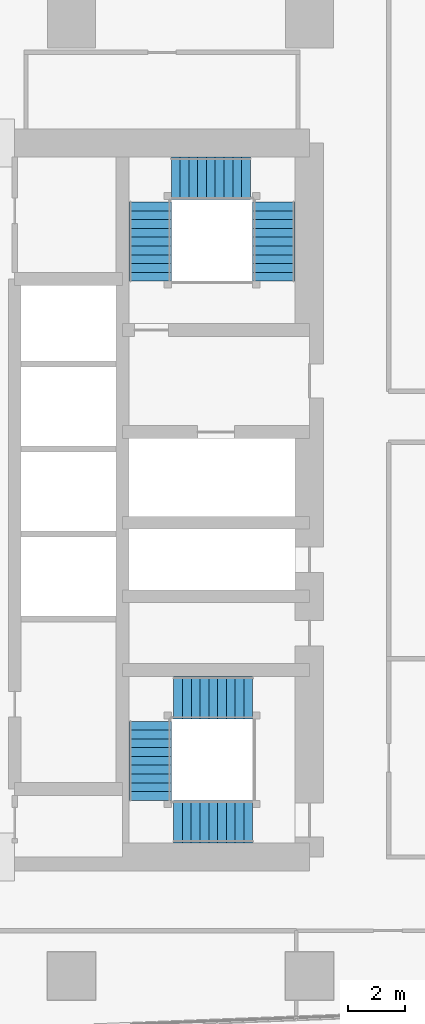
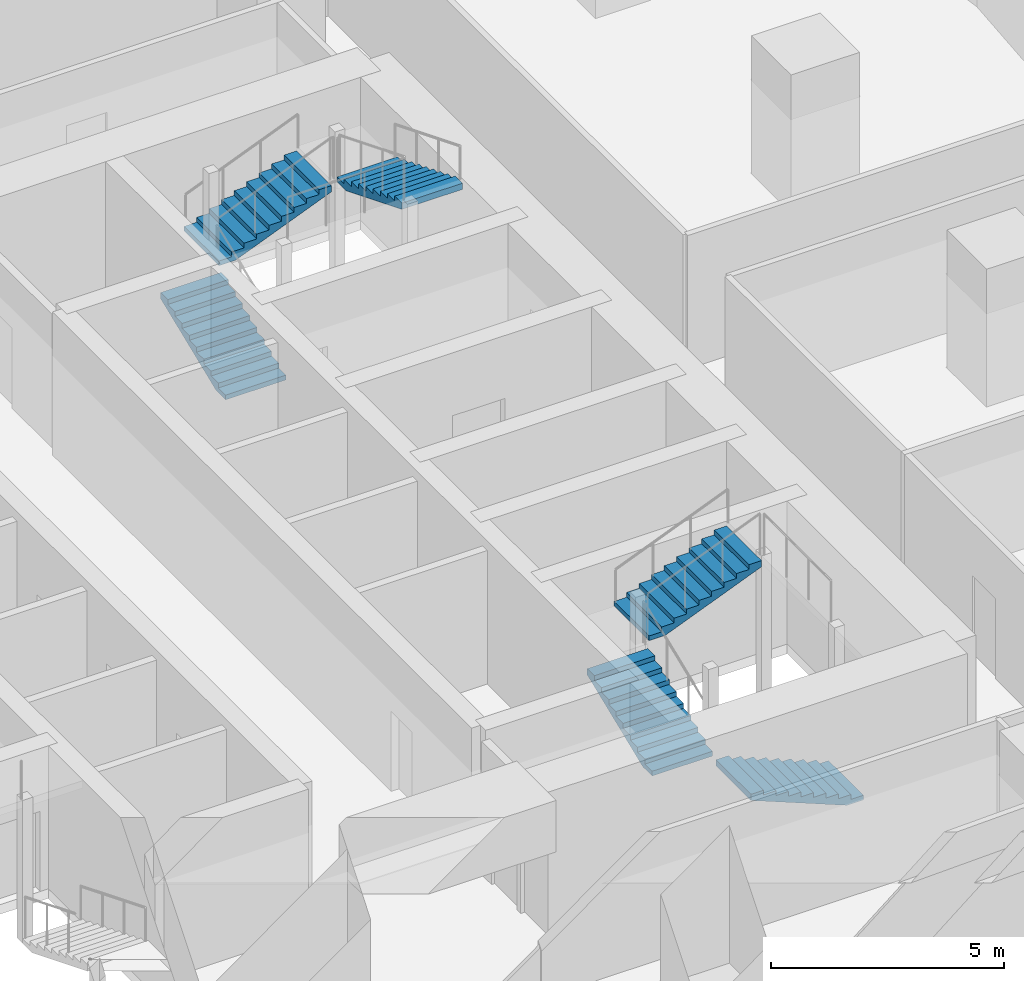
# One storey, part 32 of 40: 6 stair flights, 2 elements without a shape of their own.
"""IFC4 building model written with IfcOpenShell, lengths in metres."""

import ifcopenshell
import ifcopenshell.guid

model = None  # the IFC model being written
_history = None  # IfcOwnerHistory: only IFC2X3 demands one
_inside = {}  # id of a spatial element -> (the spatial element, [elements in it])
_under = {}  # id of a project, library or spatial element -> (it, [spatial elements below it])
_declared = {}  # id of a project -> (the project, [libraries it declares])
_typed = {}  # id of a type object -> (the type object, [elements of that type])
_made_of = {}  # id of a material, layer set ... -> (it, [elements and type objects made of it])


def new_model(schema):
    """Start an empty IFC model of exactly this schema.

    Asked for "IFC4X3", IfcOpenShell would pick the latest addendum, in which some entities
    have other attributes; the version numbers below select the first issue.
    IFC2X3 requires an IfcOwnerHistory on every rooted entity: one is made here for all.
    """
    global model, _history
    if schema == "IFC4X3":
        model = ifcopenshell.file(schema_version=(4, 3, 0, 0))
    else:
        model = ifcopenshell.file(schema=schema)
    _inside.clear()
    _under.clear()
    _declared.clear()
    _typed.clear()
    _made_of.clear()
    _history = None
    if model.schema == "IFC2X3":
        org = make("IfcOrganization", Name="unknown")
        user = make(
            "IfcPersonAndOrganization",
            ThePerson=make("IfcPerson", FamilyName="unknown"),
            TheOrganization=org,
        )
        app = make(
            "IfcApplication",
            ApplicationDeveloper=org,
            Version="unknown",
            ApplicationFullName="unknown",
            ApplicationIdentifier="unknown",
        )
        _history = make(
            "IfcOwnerHistory",
            OwningUser=user,
            OwningApplication=app,
            ChangeAction="ADDED",
            CreationDate=0,
        )
    return model


def make(cls, **values):
    """One entity of the class cls with the attributes given. An attribute that is None is left unset."""
    return model.create_entity(
        cls, **{name: value for name, value in values.items() if value is not None}
    )


def rooted(cls, **values):
    """An entity with a GlobalId (a new one), such as an element, a storey or a relation."""
    return make(cls, GlobalId=ifcopenshell.guid.new(), OwnerHistory=_history, **values)


def si_unit(unit_type, name, prefix=None):
    """IfcSIUnit, for example si_unit("LENGTHUNIT", "METRE", prefix="MILLI")."""
    return make("IfcSIUnit", UnitType=unit_type, Prefix=prefix, Name=name)


def assignment(units):
    """IfcUnitAssignment: the units of a project."""
    return None if units is None else make("IfcUnitAssignment", Units=units)


def point(xyz):
    """IfcCartesianPoint."""
    return None if xyz is None else make("IfcCartesianPoint", Coordinates=xyz)


def direction(xyz):
    """IfcDirection."""
    return None if xyz is None else make("IfcDirection", DirectionRatios=xyz)


def frame(location, z_axis=None, x_axis=None):
    """IfcAxis2Placement3D, a coordinate frame: its origin and axes. An axis left out is left unset."""
    return make(
        "IfcAxis2Placement3D",
        Location=point(location),
        Axis=direction(z_axis),
        RefDirection=direction(x_axis),
    )


def origin():
    """The frame at (0, 0, 0) with its axes left unset."""
    return frame((0.0, 0.0, 0.0))


def place(relative_to, where):
    """IfcLocalPlacement: puts the frame where relative to a parent placement (None: the world)."""
    return make(
        "IfcLocalPlacement", PlacementRelTo=relative_to, RelativePlacement=where
    )


def context(
    kind, dimensions, precision=None, world=None, true_north=None, identifier=None
):
    """IfcGeometricRepresentationContext, for example the 3D "Model" context."""
    return make(
        "IfcGeometricRepresentationContext",
        ContextIdentifier=identifier,
        ContextType=kind,
        CoordinateSpaceDimension=dimensions,
        Precision=precision,
        WorldCoordinateSystem=world,
        TrueNorth=true_north,
    )


def subcontext(parent, identifier, kind, view, scale=None):
    """IfcGeometricRepresentationSubContext, for example "Body" below "Model"."""
    return make(
        "IfcGeometricRepresentationSubContext",
        ContextIdentifier=identifier,
        ContextType=kind,
        ParentContext=parent,
        TargetScale=scale,
        TargetView=view,
    )


def project(units=None, contexts=None):
    """IfcProject with its units and contexts."""
    return rooted(
        "IfcProject",
        Name="project",
        RepresentationContexts=contexts,
        UnitsInContext=assignment(units),
    )


def spatial(cls, under=None, at=None, **own):
    """A site, building, storey or space (cls), placed at a placement, below another one or the project."""
    s = rooted(cls, ObjectPlacement=at, **own)
    if under is not None:
        _under.setdefault(under.id(), (under, []))[1].append(s)
    return s


def polyline(points):
    """IfcPolyline through the points."""
    return make("IfcPolyline", Points=[point(p) for p in points])


def outline(outer, holes=None, kind="AREA"):
    """IfcArbitraryClosedProfileDef: a profile drawn as a closed curve; with holes, ...WithVoids."""
    if holes is None:
        return make("IfcArbitraryClosedProfileDef", ProfileType=kind, OuterCurve=outer)
    return make(
        "IfcArbitraryProfileDefWithVoids",
        ProfileType=kind,
        OuterCurve=outer,
        InnerCurves=holes,
    )


def extrude(swept, where, along, depth):
    """IfcExtrudedAreaSolid: the profile swept, set in the frame where, extruded along a direction by depth."""
    return make(
        "IfcExtrudedAreaSolid",
        SweptArea=swept,
        Position=where,
        ExtrudedDirection=direction(along),
        Depth=depth,
    )


def shape(context_of_items, identifier, shape_type, items):
    """IfcShapeRepresentation: the items that make up one representation, for example the "Body"."""
    return make(
        "IfcShapeRepresentation",
        ContextOfItems=context_of_items,
        RepresentationIdentifier=identifier,
        RepresentationType=shape_type,
        Items=items,
    )


def material(Name=None, Category=None):
    """IfcMaterial."""
    return make("IfcMaterial", Name=Name, Category=Category)


def made_of(thing, what):
    """Note that an element or type object is made of a material, layer set ...; save() writes the relation."""
    if what is not None:
        _made_of.setdefault(what.id(), (what, []))[1].append(thing)
    return thing


def type_object(cls, material=None, **own):
    """A type object (cls), such as IfcWallType, which elements share."""
    return made_of(rooted(cls, **own), material)


def element(
    cls,
    number,
    at=None,
    inside=None,
    cuts=None,
    type_object=None,
    material=None,
    context=None,
    identifier="Body",
    shape_type=None,
    held_by="IfcProductDefinitionShape",
    body=None,
    shapes=None,
    **own,
):
    """One element of the class cls, such as IfcWall. Its Tag is "e" and its number.

    at: its placement. inside: the storey or other place that contains it. cuts: it is an
    opening in that element (IfcRelVoidsElement). A single representation is given by context,
    identifier, shape_type and body (its items); several are given by shapes. held_by: the class
    of the entity that holds the representations. save() writes the other relations.
    """
    e = rooted(cls, Tag="e%d" % number, ObjectPlacement=at, **own)
    if body is not None:
        shapes = [shape(context, identifier, shape_type, body)]
    if shapes is not None:
        e.Representation = make(held_by, Representations=shapes)
    if inside is not None:
        _inside.setdefault(inside.id(), (inside, []))[1].append(e)
    if cuts is not None:
        rooted(
            "IfcRelVoidsElement", RelatingBuildingElement=cuts, RelatedOpeningElement=e
        )
    if type_object is not None:
        _typed.setdefault(type_object.id(), (type_object, []))[1].append(e)
    return made_of(e, material)


def aggregate(whole, parts):
    """IfcRelAggregates: a whole, such as a stair, and the parts it consists of."""
    return rooted("IfcRelAggregates", RelatingObject=whole, RelatedObjects=parts)


def save(model, path):
    """Write the relations noted so far, then the file.

    IfcRelAggregates (storeys below a building ...), IfcRelContainedInSpatialStructure (elements
    in a storey), IfcRelDefinesByType, IfcRelAssociatesMaterial and IfcRelDeclares: one each for
    every whole, place, type object, material and project.
    """
    for whole, parts in _under.values():
        aggregate(whole, parts)
    for where, things in _inside.values():
        rooted(
            "IfcRelContainedInSpatialStructure",
            RelatedElements=things,
            RelatingStructure=where,
        )
    for kind, things in _typed.values():
        rooted("IfcRelDefinesByType", RelatedObjects=things, RelatingType=kind)
    for what, things in _made_of.values():
        rooted("IfcRelAssociatesMaterial", RelatedObjects=things, RelatingMaterial=what)
    for by, libraries in _declared.values():
        rooted("IfcRelDeclares", RelatingContext=by, RelatedDefinitions=libraries)
    model.write(path)


model = new_model("IFC4")

# Units and contexts
model_context = context("Model", 3, precision=1e-05, world=origin(), true_north=direction((0.0, 1.0)))
body_context = subcontext(model_context, "Body", "Model", "MODEL_VIEW")
ifc_project = project(units=[si_unit("LENGTHUNIT", "METRE"), si_unit("AREAUNIT", "SQUARE_METRE"), si_unit("VOLUMEUNIT", "CUBIC_METRE"), si_unit("PLANEANGLEUNIT", "RADIAN"), si_unit("MASSUNIT", "GRAM", prefix="KILO")], contexts=[model_context])

# Site, building, storey
site_placement = place(None, origin())
site = spatial("IfcSite", under=ifc_project, at=site_placement, CompositionType="ELEMENT")
building_placement = place(site_placement, origin())
building = spatial("IfcBuilding", under=site, at=building_placement, Name="Rekha Terrace Tower", CompositionType="ELEMENT")
storey_placement = place(building_placement, frame((0.0, 0.0, 102.800048828125)))
storey = spatial("IfcBuildingStorey", under=building, at=storey_placement, Name="L25", CompositionType="ELEMENT", Elevation=102.800048828125)

# Stair, stair flights
ifc_material = material(Name="Concrete M40", Category="concrete")
stair_type = type_object("IfcStairType", Name="ST30 stair, 30 risers of 125, going 310, 1500 wide flights, 3 flights", PredefinedType="HALF_TURN_STAIR", material=ifc_material)
stair_1_placement = place(storey_placement, origin())
stair_1 = element("IfcStair", 1, at=stair_1_placement, inside=storey, type_object=stair_type, Name="Stair ST2 L25 to L26", PredefinedType="HALF_TURN_STAIR")
stair_flight_type = type_object("IfcStairFlightType", Name="SF10 stair flight, 10 risers of 125, going 310, 1500 wide", PredefinedType="STRAIGHT", material=ifc_material)
stair_flight_1_placement = place(storey_placement, frame((44.77490234375, 41.324951171875, 0.0), z_axis=(0.0, 0.0, 1.0), x_axis=(0.0, 1.0, 0.0)))
stair_flight_1 = element("IfcStairFlight", 2, at=stair_flight_1_placement, type_object=stair_flight_type, Name="ST2 flight 1", NumberOfRisers=10, NumberOfTreads=9, PredefinedType="STRAIGHT", RiserHeight=0.125, TreadLength=0.31, context=body_context, shape_type="SweptSolid", body=[
    extrude(outline(polyline([(0.0, 0.0), (0.0, 0.125), (0.31005859375, 0.125), (0.31005859375, 0.25), (0.6201171875, 0.25), (0.6201171875, 0.375), (0.929931640625, 0.375), (0.929931640625, 0.5), (1.239990234375, 0.5), (1.239990234375, 0.625), (1.550048828125, 0.625), (1.550048828125, 0.75), (1.860107421875, 0.75), (1.860107421875, 0.875), (2.169921875, 0.875), (2.169921875, 1.0), (2.47998046875, 1.0), (2.47998046875, 1.125), (2.7900390625, 1.125), (2.7900390625, 1.25), (2.7900390625, 0.96337890625), (0.40087890625, 0.0), (0.0, 0.0)])), frame((0.0, 0.75, 0.0), z_axis=(0.0, -1.0, 0.0), x_axis=(1.0, 0.0, 0.0)), (0.0, 0.0, 1.0), 1.5),
])
stair_flight_2_placement = place(storey_placement, frame((45.52490234375, 44.949951171875, 1.25), z_axis=(0.0, 0.0, 1.0), x_axis=(1.0, 0.0, 0.0)))
stair_flight_2 = element("IfcStairFlight", 3, at=stair_flight_2_placement, type_object=stair_flight_type, Name="ST2 flight 2", NumberOfRisers=10, NumberOfTreads=9, PredefinedType="STRAIGHT", RiserHeight=0.125, TreadLength=0.31, context=body_context, shape_type="SweptSolid", body=[
    extrude(outline(polyline([(0.0, 0.0), (0.0, 0.125), (0.31005859375, 0.125), (0.31005859375, 0.25), (0.6201171875, 0.25), (0.6201171875, 0.375), (0.929931640625, 0.375), (0.929931640625, 0.5), (1.239990234375, 0.5), (1.239990234375, 0.625), (1.550048828125, 0.625), (1.550048828125, 0.75), (1.860107421875, 0.75), (1.860107421875, 0.875), (2.169921875, 0.875), (2.169921875, 1.0), (2.47998046875, 1.0), (2.47998046875, 1.125), (2.7900390625, 1.125), (2.7900390625, 1.25), (2.7900390625, 0.96337890625), (0.40087890625, 0.0), (0.0, 0.0)])), frame((0.0, 0.75, 0.0), z_axis=(0.0, -1.0, 0.0), x_axis=(1.0, 0.0, 0.0)), (0.0, 0.0, 1.0), 1.5),
])
stair_flight_3_placement = place(storey_placement, frame((49.14990234375, 44.114990234375, 2.5), z_axis=(0.0, 0.0, 1.0), x_axis=(0.0, -1.0, 0.0)))
stair_flight_3 = element("IfcStairFlight", 4, at=stair_flight_3_placement, type_object=stair_flight_type, Name="ST2 flight 3", NumberOfRisers=10, NumberOfTreads=9, PredefinedType="STRAIGHT", RiserHeight=0.125, TreadLength=0.31, context=body_context, shape_type="SweptSolid", body=[
    extrude(outline(polyline([(0.0, 0.0), (0.0, 0.125), (0.31005859375, 0.125), (0.31005859375, 0.25), (0.6201171875, 0.25), (0.6201171875, 0.375), (0.929931640625, 0.375), (0.929931640625, 0.5), (1.239990234375, 0.5), (1.239990234375, 0.625), (1.550048828125, 0.625), (1.550048828125, 0.75), (1.860107421875, 0.75), (1.860107421875, 0.875), (2.169921875, 0.875), (2.169921875, 1.0), (2.47998046875, 1.0), (2.47998046875, 1.125), (2.7900390625, 1.125), (2.7900390625, 1.25), (2.7900390625, 0.96337890625), (0.40087890625, 0.0), (0.0, 0.0)])), frame((0.0, 0.75, 0.0), z_axis=(0.0, -1.0, 0.0), x_axis=(1.0, 0.0, 0.0)), (0.0, 0.0, 1.0), 1.5),
])
aggregate(stair_1, [stair_flight_1, stair_flight_2, stair_flight_3])

stair_2_placement = place(storey_placement, origin())
stair_2 = element("IfcStair", 5, at=stair_2_placement, inside=storey, type_object=stair_type, Name="Stair ST3 L25 to L26", PredefinedType="HALF_TURN_STAIR")
stair_flight_4_placement = place(storey_placement, frame((48.39990234375, 22.25, 0.0), z_axis=(0.0, 0.0, 1.0), x_axis=(-1.0, 0.0, 0.0)))
stair_flight_4 = element("IfcStairFlight", 6, at=stair_flight_4_placement, type_object=stair_flight_type, Name="ST3 flight 1", NumberOfRisers=10, NumberOfTreads=9, PredefinedType="STRAIGHT", RiserHeight=0.125, TreadLength=0.31, context=body_context, shape_type="SweptSolid", body=[
    extrude(outline(polyline([(0.0, 0.0), (0.0, 0.125), (0.31005859375, 0.125), (0.31005859375, 0.25), (0.6201171875, 0.25), (0.6201171875, 0.375), (0.929931640625, 0.375), (0.929931640625, 0.5), (1.239990234375, 0.5), (1.239990234375, 0.625), (1.550048828125, 0.625), (1.550048828125, 0.75), (1.860107421875, 0.75), (1.860107421875, 0.875), (2.169921875, 0.875), (2.169921875, 1.0), (2.47998046875, 1.0), (2.47998046875, 1.125), (2.7900390625, 1.125), (2.7900390625, 1.25), (2.7900390625, 0.96337890625), (0.40087890625, 0.0), (0.0, 0.0)])), frame((0.0, 0.75, 0.0), z_axis=(0.0, -1.0, 0.0), x_axis=(1.0, 0.0, 0.0)), (0.0, 0.0, 1.0), 1.5),
])
stair_flight_5_placement = place(storey_placement, frame((44.77490234375, 23.0, 1.25), z_axis=(0.0, 0.0, 1.0), x_axis=(0.0, 1.0, 0.0)))
stair_flight_5 = element("IfcStairFlight", 7, at=stair_flight_5_placement, type_object=stair_flight_type, Name="ST3 flight 2", NumberOfRisers=10, NumberOfTreads=9, PredefinedType="STRAIGHT", RiserHeight=0.125, TreadLength=0.31, context=body_context, shape_type="SweptSolid", body=[
    extrude(outline(polyline([(0.0, 0.0), (0.0, 0.125), (0.31005859375, 0.125), (0.31005859375, 0.25), (0.6201171875, 0.25), (0.6201171875, 0.375), (0.929931640625, 0.375), (0.929931640625, 0.5), (1.239990234375, 0.5), (1.239990234375, 0.625), (1.550048828125, 0.625), (1.550048828125, 0.75), (1.860107421875, 0.75), (1.860107421875, 0.875), (2.169921875, 0.875), (2.169921875, 1.0), (2.47998046875, 1.0), (2.47998046875, 1.125), (2.7900390625, 1.125), (2.7900390625, 1.25), (2.7900390625, 0.96337890625), (0.40087890625, 0.0), (0.0, 0.0)])), frame((0.0, 0.75, 0.0), z_axis=(0.0, -1.0, 0.0), x_axis=(1.0, 0.0, 0.0)), (0.0, 0.0, 1.0), 1.5),
])
stair_flight_6_placement = place(storey_placement, frame((45.610107421875, 26.625, 2.5), z_axis=(0.0, 0.0, 1.0), x_axis=(1.0, 0.0, 0.0)))
stair_flight_6 = element("IfcStairFlight", 8, at=stair_flight_6_placement, type_object=stair_flight_type, Name="ST3 flight 3", NumberOfRisers=10, NumberOfTreads=9, PredefinedType="STRAIGHT", RiserHeight=0.125, TreadLength=0.31, context=body_context, shape_type="SweptSolid", body=[
    extrude(outline(polyline([(0.0, 0.0), (0.0, 0.125), (0.31005859375, 0.125), (0.31005859375, 0.25), (0.6201171875, 0.25), (0.6201171875, 0.375), (0.929931640625, 0.375), (0.929931640625, 0.5), (1.239990234375, 0.5), (1.239990234375, 0.625), (1.550048828125, 0.625), (1.550048828125, 0.75), (1.860107421875, 0.75), (1.860107421875, 0.875), (2.169921875, 0.875), (2.169921875, 1.0), (2.47998046875, 1.0), (2.47998046875, 1.125), (2.7900390625, 1.125), (2.7900390625, 1.25), (2.7900390625, 0.96337890625), (0.40087890625, 0.0), (0.0, 0.0)])), frame((0.0, 0.75, 0.0), z_axis=(0.0, -1.0, 0.0), x_axis=(1.0, 0.0, 0.0)), (0.0, 0.0, 1.0), 1.5),
])
aggregate(stair_2, [stair_flight_4, stair_flight_5, stair_flight_6])

save(model, "model.ifc")
